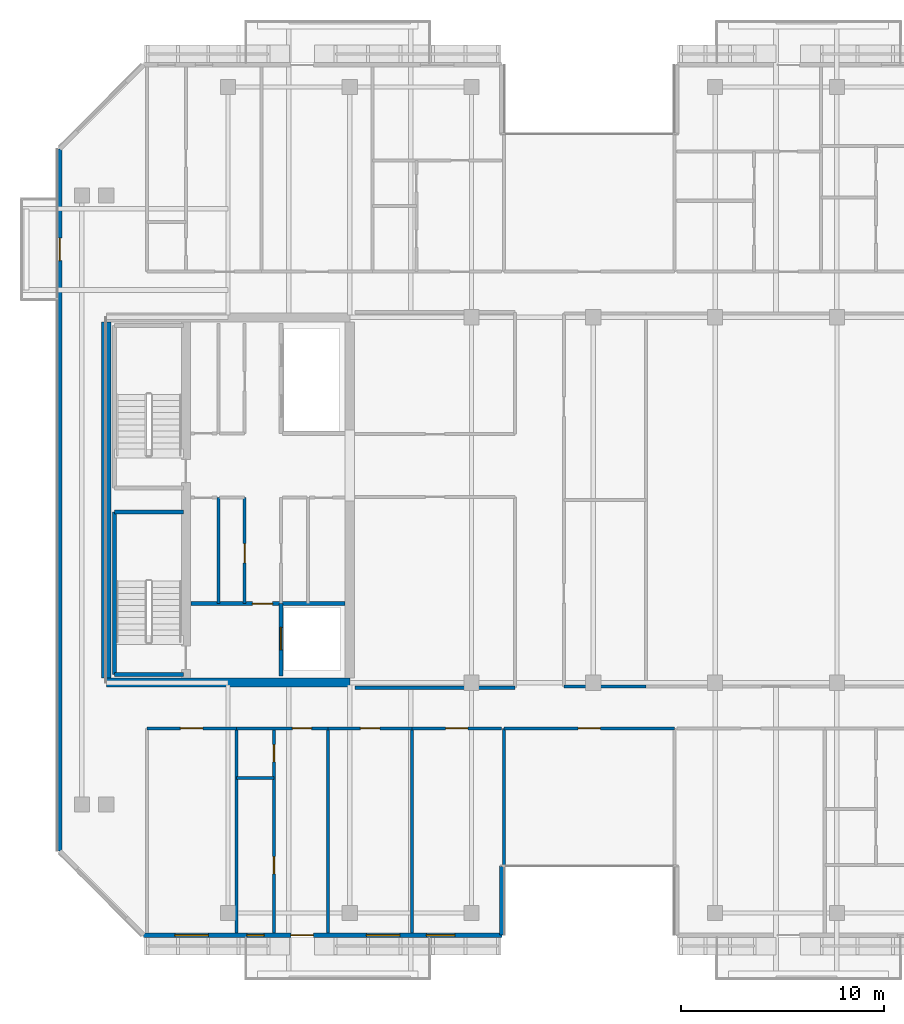
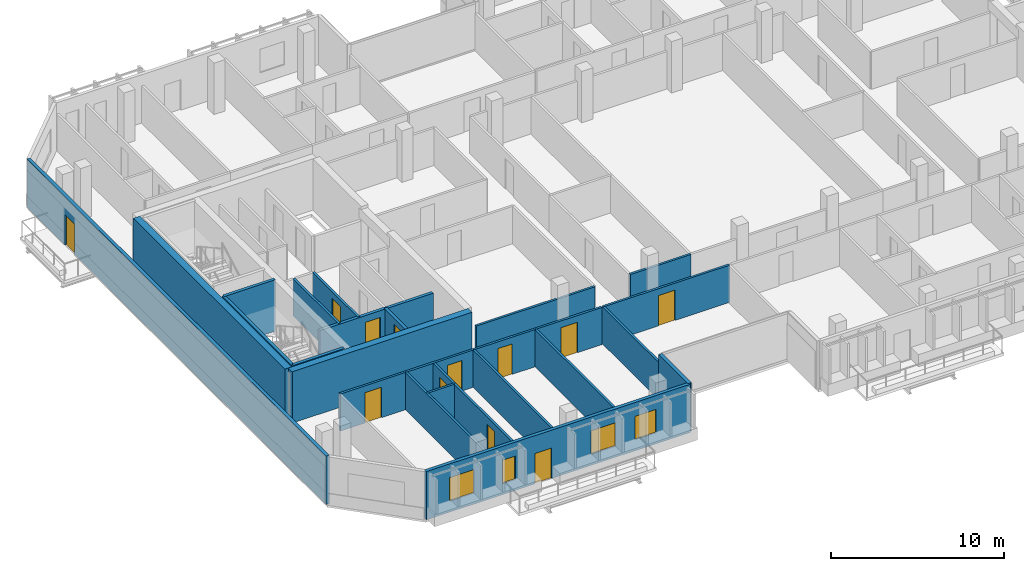
# One storey, part 10 of 23: 25 walls, 12 doors, 4 windows, 16 openings.
"""IFC4 building model written with IfcOpenShell, lengths in metres."""

import ifcopenshell
import ifcopenshell.guid

model = None  # the IFC model being written
_history = None  # IfcOwnerHistory: only IFC2X3 demands one
_inside = {}  # id of a spatial element -> (the spatial element, [elements in it])
_under = {}  # id of a project, library or spatial element -> (it, [spatial elements below it])
_declared = {}  # id of a project -> (the project, [libraries it declares])
_typed = {}  # id of a type object -> (the type object, [elements of that type])
_made_of = {}  # id of a material, layer set ... -> (it, [elements and type objects made of it])


def new_model(schema):
    """Start an empty IFC model of exactly this schema.

    Asked for "IFC4X3", IfcOpenShell would pick the latest addendum, in which some entities
    have other attributes; the version numbers below select the first issue.
    IFC2X3 requires an IfcOwnerHistory on every rooted entity: one is made here for all.
    """
    global model, _history
    if schema == "IFC4X3":
        model = ifcopenshell.file(schema_version=(4, 3, 0, 0))
    else:
        model = ifcopenshell.file(schema=schema)
    _inside.clear()
    _under.clear()
    _declared.clear()
    _typed.clear()
    _made_of.clear()
    _history = None
    if model.schema == "IFC2X3":
        org = make("IfcOrganization", Name="unknown")
        user = make(
            "IfcPersonAndOrganization",
            ThePerson=make("IfcPerson", FamilyName="unknown"),
            TheOrganization=org,
        )
        app = make(
            "IfcApplication",
            ApplicationDeveloper=org,
            Version="unknown",
            ApplicationFullName="unknown",
            ApplicationIdentifier="unknown",
        )
        _history = make(
            "IfcOwnerHistory",
            OwningUser=user,
            OwningApplication=app,
            ChangeAction="ADDED",
            CreationDate=0,
        )
    return model


def make(cls, **values):
    """One entity of the class cls with the attributes given. An attribute that is None is left unset."""
    return model.create_entity(
        cls, **{name: value for name, value in values.items() if value is not None}
    )


def rooted(cls, **values):
    """An entity with a GlobalId (a new one), such as an element, a storey or a relation."""
    return make(cls, GlobalId=ifcopenshell.guid.new(), OwnerHistory=_history, **values)


def si_unit(unit_type, name, prefix=None):
    """IfcSIUnit, for example si_unit("LENGTHUNIT", "METRE", prefix="MILLI")."""
    return make("IfcSIUnit", UnitType=unit_type, Prefix=prefix, Name=name)


def assignment(units):
    """IfcUnitAssignment: the units of a project."""
    return None if units is None else make("IfcUnitAssignment", Units=units)


def point(xyz):
    """IfcCartesianPoint."""
    return None if xyz is None else make("IfcCartesianPoint", Coordinates=xyz)


def direction(xyz):
    """IfcDirection."""
    return None if xyz is None else make("IfcDirection", DirectionRatios=xyz)


def frame(location, z_axis=None, x_axis=None):
    """IfcAxis2Placement3D, a coordinate frame: its origin and axes. An axis left out is left unset."""
    return make(
        "IfcAxis2Placement3D",
        Location=point(location),
        Axis=direction(z_axis),
        RefDirection=direction(x_axis),
    )


def frame_2d(location, x_axis=None):
    """IfcAxis2Placement2D, a coordinate frame in the plane: its origin and x axis."""
    return make(
        "IfcAxis2Placement2D", Location=point(location), RefDirection=direction(x_axis)
    )


def origin():
    """The frame at (0, 0, 0) with its axes left unset."""
    return frame((0.0, 0.0, 0.0))


def place(relative_to, where):
    """IfcLocalPlacement: puts the frame where relative to a parent placement (None: the world)."""
    return make(
        "IfcLocalPlacement", PlacementRelTo=relative_to, RelativePlacement=where
    )


def context(
    kind, dimensions, precision=None, world=None, true_north=None, identifier=None
):
    """IfcGeometricRepresentationContext, for example the 3D "Model" context."""
    return make(
        "IfcGeometricRepresentationContext",
        ContextIdentifier=identifier,
        ContextType=kind,
        CoordinateSpaceDimension=dimensions,
        Precision=precision,
        WorldCoordinateSystem=world,
        TrueNorth=true_north,
    )


def subcontext(parent, identifier, kind, view, scale=None):
    """IfcGeometricRepresentationSubContext, for example "Body" below "Model"."""
    return make(
        "IfcGeometricRepresentationSubContext",
        ContextIdentifier=identifier,
        ContextType=kind,
        ParentContext=parent,
        TargetScale=scale,
        TargetView=view,
    )


def project(units=None, contexts=None):
    """IfcProject with its units and contexts."""
    return rooted(
        "IfcProject",
        Name="project",
        RepresentationContexts=contexts,
        UnitsInContext=assignment(units),
    )


def spatial(cls, under=None, at=None, **own):
    """A site, building, storey or space (cls), placed at a placement, below another one or the project."""
    s = rooted(cls, ObjectPlacement=at, **own)
    if under is not None:
        _under.setdefault(under.id(), (under, []))[1].append(s)
    return s


def profile(cls, at=None, kind="AREA", **sizes):
    """A parametric profile (cls). Its sizes go by their IFC names, for example OverallWidth=200.0."""
    return make(cls, ProfileType=kind, Position=at, **sizes)


def rectangle(**sizes):
    """IfcRectangleProfileDef."""
    return profile("IfcRectangleProfileDef", **sizes)


def extrude(swept, where, along, depth):
    """IfcExtrudedAreaSolid: the profile swept, set in the frame where, extruded along a direction by depth."""
    return make(
        "IfcExtrudedAreaSolid",
        SweptArea=swept,
        Position=where,
        ExtrudedDirection=direction(along),
        Depth=depth,
    )


def shape(context_of_items, identifier, shape_type, items):
    """IfcShapeRepresentation: the items that make up one representation, for example the "Body"."""
    return make(
        "IfcShapeRepresentation",
        ContextOfItems=context_of_items,
        RepresentationIdentifier=identifier,
        RepresentationType=shape_type,
        Items=items,
    )


def material(Name=None, Category=None):
    """IfcMaterial."""
    return make("IfcMaterial", Name=Name, Category=Category)


def layer(
    of_material, thickness, ventilated=None, Name=None, Category=None, Priority=None
):
    """IfcMaterialLayer: one layer of a wall or slab, of a material (None: an air gap)."""
    return make(
        "IfcMaterialLayer",
        Material=of_material,
        LayerThickness=thickness,
        IsVentilated=ventilated,
        Name=Name,
        Category=Category,
        Priority=Priority,
    )


def layer_set(layers, Name=None):
    """IfcMaterialLayerSet."""
    return make("IfcMaterialLayerSet", MaterialLayers=layers, LayerSetName=Name)


def made_of(thing, what):
    """Note that an element or type object is made of a material, layer set ...; save() writes the relation."""
    if what is not None:
        _made_of.setdefault(what.id(), (what, []))[1].append(thing)
    return thing


def type_object(cls, material=None, **own):
    """A type object (cls), such as IfcWallType, which elements share."""
    return made_of(rooted(cls, **own), material)


def element(
    cls,
    number,
    at=None,
    inside=None,
    cuts=None,
    type_object=None,
    material=None,
    context=None,
    identifier="Body",
    shape_type=None,
    held_by="IfcProductDefinitionShape",
    body=None,
    shapes=None,
    **own,
):
    """One element of the class cls, such as IfcWall. Its Tag is "e" and its number.

    at: its placement. inside: the storey or other place that contains it. cuts: it is an
    opening in that element (IfcRelVoidsElement). A single representation is given by context,
    identifier, shape_type and body (its items); several are given by shapes. held_by: the class
    of the entity that holds the representations. save() writes the other relations.
    """
    e = rooted(cls, Tag="e%d" % number, ObjectPlacement=at, **own)
    if body is not None:
        shapes = [shape(context, identifier, shape_type, body)]
    if shapes is not None:
        e.Representation = make(held_by, Representations=shapes)
    if inside is not None:
        _inside.setdefault(inside.id(), (inside, []))[1].append(e)
    if cuts is not None:
        rooted(
            "IfcRelVoidsElement", RelatingBuildingElement=cuts, RelatedOpeningElement=e
        )
    if type_object is not None:
        _typed.setdefault(type_object.id(), (type_object, []))[1].append(e)
    return made_of(e, material)


def fill(opening, filler):
    """IfcRelFillsElement: the door or window that sits in an opening."""
    return rooted(
        "IfcRelFillsElement",
        RelatingOpeningElement=opening,
        RelatedBuildingElement=filler,
    )


def aggregate(whole, parts):
    """IfcRelAggregates: a whole, such as a stair, and the parts it consists of."""
    return rooted("IfcRelAggregates", RelatingObject=whole, RelatedObjects=parts)


def save(model, path):
    """Write the relations noted so far, then the file.

    IfcRelAggregates (storeys below a building ...), IfcRelContainedInSpatialStructure (elements
    in a storey), IfcRelDefinesByType, IfcRelAssociatesMaterial and IfcRelDeclares: one each for
    every whole, place, type object, material and project.
    """
    for whole, parts in _under.values():
        aggregate(whole, parts)
    for where, things in _inside.values():
        rooted(
            "IfcRelContainedInSpatialStructure",
            RelatedElements=things,
            RelatingStructure=where,
        )
    for kind, things in _typed.values():
        rooted("IfcRelDefinesByType", RelatedObjects=things, RelatingType=kind)
    for what, things in _made_of.values():
        rooted("IfcRelAssociatesMaterial", RelatedObjects=things, RelatingMaterial=what)
    for by, libraries in _declared.values():
        rooted("IfcRelDeclares", RelatingContext=by, RelatedDefinitions=libraries)
    model.write(path)


model = new_model("IFC4")

# Units and contexts
model_context = context("Model", 3, precision=1e-05, world=origin(), true_north=direction((0.0, 1.0)))
body_context = subcontext(model_context, "Body", "Model", "MODEL_VIEW")
ifc_project = project(units=[si_unit("LENGTHUNIT", "METRE"), si_unit("AREAUNIT", "SQUARE_METRE"), si_unit("VOLUMEUNIT", "CUBIC_METRE"), si_unit("PLANEANGLEUNIT", "RADIAN"), si_unit("MASSUNIT", "GRAM", prefix="KILO")], contexts=[model_context])

# Site, building, storey
site_placement = place(None, origin())
site = spatial("IfcSite", under=ifc_project, at=site_placement, CompositionType="ELEMENT")
building_placement = place(site_placement, origin())
building = spatial("IfcBuilding", under=site, at=building_placement, Name="Tanjung Sevakor Pilgrim Tower", CompositionType="ELEMENT")
storey_placement = place(building_placement, frame((0.0, 0.0, 215.489990234375)))
storey = spatial("IfcBuildingStorey", under=building, at=storey_placement, Name="L60", CompositionType="ELEMENT", Elevation=215.489990234375)

# Walls
ifc_material_1 = material(Name="Concrete C60/75", Category="concrete")
ifc_layer_1 = layer(ifc_material_1, 0.449951171875)
ifc_layer_set_1 = layer_set([ifc_layer_1], Name="WALL-CW-450")
wall_type_1 = type_object("IfcWallType", Name="WALL-CW-450", PredefinedType="SHEAR", material=ifc_layer_set_1)
wall_1_placement = place(storey_placement, frame((24.0, 24.60009765625, 0.0), z_axis=(0.0, 0.0, 1.0), x_axis=(1.0, 0.0, 0.0)))
element("IfcWall", 1, at=wall_1_placement, inside=storey, type_object=wall_type_1, Name="L60 W Core South Shear Wall", PredefinedType="SHEAR", context=body_context, shape_type="SweptSolid", body=[
    extrude(rectangle(XDim=12.0, YDim=0.449951171875, at=frame_2d((6.0, 0.0))), origin(), (0.0, 0.0, 1.0), 3.630126953125),
])
wall_2_placement = place(storey_placement, frame((24.0, 24.824951171875, 0.0), z_axis=(0.0, 0.0, 1.0), x_axis=(0.0, 1.0, 0.0)))
element("IfcWall", 2, at=wall_2_placement, inside=storey, type_object=wall_type_1, Name="L60 W Core Outer Shear Wall", PredefinedType="SHEAR", context=body_context, shape_type="SweptSolid", body=[
    extrude(rectangle(XDim=17.550048828125, YDim=0.449951171875, at=frame_2d((8.77490234375, 0.0))), origin(), (0.0, 0.0, 1.0), 3.630126953125),
])
ifc_material_2 = material(Name="Concrete C40/50", Category="concrete")
ifc_layer_2 = layer(ifc_material_2, 0.14990234375)
ifc_layer_set_2 = layer_set([ifc_layer_2], Name="WT-COMP-150")
wall_type_2 = type_object("IfcWallType", Name="WT-COMP-150", PredefinedType="SOLIDWALL", material=ifc_layer_set_2)
wall_3_placement = place(storey_placement, frame((29.52001953125, 28.5, 0.0), z_axis=(0.0, 0.0, 1.0), x_axis=(0.0, 1.0, 0.0)))
element("IfcWall", 3, at=wall_3_placement, inside=storey, type_object=wall_type_2, Name="L60 Partition IW-L60-003", PredefinedType="SOLIDWALL", context=body_context, shape_type="SweptSolid", body=[
    extrude(rectangle(XDim=5.219970703125, YDim=0.14990234375, at=frame_2d((2.60986328125, 0.0))), origin(), (0.0, 0.0, 1.0), 2.6298828125),
])

# Wall, opening, door
wall_4_placement = place(storey_placement, frame((30.820068359375, 28.5, 0.0), z_axis=(0.0, 0.0, 1.0), x_axis=(0.0, 1.0, 0.0)))
wall_4 = element("IfcWall", 4, at=wall_4_placement, inside=storey, type_object=wall_type_2, Name="L60 Partition IW-L60-006", PredefinedType="SOLIDWALL", context=body_context, shape_type="SweptSolid", body=[
    extrude(rectangle(XDim=5.219970703125, YDim=0.14990234375, at=frame_2d((2.60986328125, 0.0))), origin(), (0.0, 0.0, 1.0), 2.6298828125),
])
opening_1_placement = place(wall_4_placement, frame((2.0, 0.0, 0.0)))
opening_1 = element("IfcOpeningElement", 5, at=opening_1_placement, cuts=wall_4, Name="Opening ID-FD2", PredefinedType="OPENING", context=body_context, shape_type="SweptSolid", body=[
    extrude(rectangle(XDim=0.949951171875, YDim=2.14990234375, at=frame_2d((0.47509765625, 1.074951171875))), frame((0.0, 0.0849609375, 0.0), z_axis=(0.0, -1.0, 0.0), x_axis=(1.0, 0.0, 0.0)), (0.0, 0.0, 1.0), 0.169921875),
])
ifc_material_3 = material(Name="Fire-Rated Timber", Category="wood")
door_type_1 = type_object("IfcDoorType", Name="DT-FIRE-950", OperationType="NOTDEFINED", PredefinedType="DOOR", material=ifc_material_3)
door_1_placement = place(opening_1_placement, origin())
door_1 = element("IfcDoor", 6, at=door_1_placement, inside=storey, type_object=door_type_1, Name="L60 Housekeeping Pantry Door", OperationType="SINGLE_SWING_LEFT", OverallHeight=2.14990234375, OverallWidth=0.949951171875, PredefinedType="DOOR", context=body_context, shape_type="SweptSolid", body=[
    extrude(rectangle(XDim=0.949951171875, YDim=2.14990234375, at=frame_2d((0.47509765625, 1.074951171875))), frame((0.0, 0.02490234375, 0.0), z_axis=(0.0, -1.0, 0.0), x_axis=(1.0, 0.0, 0.0)), (0.0, 0.0, 1.0), 0.050048828125),
])
fill(opening_1, door_1)

# Walls
wall_5_placement = place(storey_placement, frame((36.2451171875, 24.35009765625, 0.0), z_axis=(0.0, 0.0, 1.0), x_axis=(1.0, 0.0, 0.0)))
element("IfcWall", 7, at=wall_5_placement, inside=storey, type_object=wall_type_2, Name="L60 Partition IW-L60-033", PredefinedType="SOLIDWALL", context=body_context, shape_type="SweptSolid", body=[
    extrude(rectangle(XDim=7.90478515625, YDim=0.14990234375, at=frame_2d((3.952392578125, 0.0))), origin(), (0.0, 0.0, 1.0), 2.6298828125),
])
wall_6_placement = place(storey_placement, frame((46.550048828125, 24.39990234375, 0.0), z_axis=(0.0, 0.0, 1.0), x_axis=(1.0, 0.0, 0.0)))
element("IfcWall", 8, at=wall_6_placement, inside=storey, type_object=wall_type_2, Name="L60 Partition IW-L60-045", PredefinedType="SOLIDWALL", context=body_context, shape_type="SweptSolid", body=[
    extrude(rectangle(XDim=4.050048828125, YDim=0.14990234375, at=frame_2d((2.02490234375, 0.0))), origin(), (0.0, 0.0, 1.0), 2.6298828125),
])

# Wall, opening, door
wall_7_placement = place(storey_placement, frame((43.60009765625, 22.35009765625, 0.0), z_axis=(0.0, 0.0, 1.0), x_axis=(1.0, 0.0, 0.0)))
wall_7 = element("IfcWall", 9, at=wall_7_placement, inside=storey, type_object=wall_type_2, Name="L60 Partition IW-L60-059", PredefinedType="SOLIDWALL", context=body_context, shape_type="SweptSolid", body=[
    extrude(rectangle(XDim=8.39990234375, YDim=0.14990234375, at=frame_2d((4.199951171875, 0.0))), origin(), (0.0, 0.0, 1.0), 2.6298828125),
])
opening_2_placement = place(wall_7_placement, frame((3.64990234375, 0.0, 0.0)))
opening_2 = element("IfcOpeningElement", 10, at=opening_2_placement, cuts=wall_7, Name="Opening ID-RM2", PredefinedType="OPENING", context=body_context, shape_type="SweptSolid", body=[
    extrude(rectangle(XDim=1.10009765625, YDim=2.14990234375, at=frame_2d((0.550048828125, 1.074951171875))), frame((0.0, 0.0849609375, 0.0), z_axis=(0.0, -1.0, 0.0), x_axis=(1.0, 0.0, 0.0)), (0.0, 0.0, 1.0), 0.169921875),
])
ifc_material_4 = material(Name="Hardwood Timber", Category="wood")
door_type_2 = type_object("IfcDoorType", Name="DT-INT-1100", OperationType="NOTDEFINED", PredefinedType="DOOR", material=ifc_material_4)
door_2_placement = place(opening_2_placement, origin())
door_2 = element("IfcDoor", 11, at=door_2_placement, inside=storey, type_object=door_type_2, Name="L60 South Cleft Communal Lounge Door", OperationType="SINGLE_SWING_LEFT", OverallHeight=2.14990234375, OverallWidth=1.10009765625, PredefinedType="DOOR", context=body_context, shape_type="SweptSolid", body=[
    extrude(rectangle(XDim=1.10009765625, YDim=2.14990234375, at=frame_2d((0.550048828125, 1.074951171875))), frame((0.0, 0.02490234375, 0.0), z_axis=(0.0, -1.0, 0.0), x_axis=(1.0, 0.0, 0.0)), (0.0, 0.0, 1.0), 0.050048828125),
])
fill(opening_2, door_2)

# Walls
for number, where, z_axis, x_axis, name in (
    (12, (43.60009765625, 12.27001953125, 0.0), (0.0, 0.0, 1.0), (0.0, 1.0, 0.0), "L60 Partition IW-L60-060"),
    (13, (30.41455078125, 12.27001953125, 0.0), (0.0, 0.0, 1.0), (0.0, 1.0, 0.0), "L60 Partition IW-L60-066"),
):
    element("IfcWall", number, at=place(storey_placement, frame(where, z_axis=z_axis, x_axis=x_axis)), inside=storey, type_object=wall_type_2, Name=name, PredefinedType="SOLIDWALL", context=body_context, shape_type="SweptSolid", body=[
        extrude(rectangle(XDim=10.080078125, YDim=0.14990234375, at=frame_2d((5.0400390625, 0.0))), origin(), (0.0, 0.0, 1.0), 2.6298828125),
    ])

# Wall, opening, door
wall_8_placement = place(storey_placement, frame((26.0, 22.35009765625, 0.0), z_axis=(0.0, 0.0, 1.0), x_axis=(1.0, 0.0, 0.0)))
wall_8 = element("IfcWall", 14, at=wall_8_placement, inside=storey, type_object=wall_type_2, Name="L60 Partition IW-L60-067", PredefinedType="SOLIDWALL", context=body_context, shape_type="SweptSolid", body=[
    extrude(rectangle(XDim=4.41455078125, YDim=0.14990234375, at=frame_2d((2.207275390625, 0.0))), origin(), (0.0, 0.0, 1.0), 2.6298828125),
])
opening_3_placement = place(wall_8_placement, frame((1.6572265625, 0.0, 0.0)))
opening_3 = element("IfcOpeningElement", 15, at=opening_3_placement, cuts=wall_8, Name="Opening ID-FD0", PredefinedType="OPENING", context=body_context, shape_type="SweptSolid", body=[
    extrude(rectangle(XDim=1.10009765625, YDim=2.14990234375, at=frame_2d((0.550048828125, 1.074951171875))), frame((0.0, 0.0849609375, 0.0), z_axis=(0.0, -1.0, 0.0), x_axis=(1.0, 0.0, 0.0)), (0.0, 0.0, 1.0), 0.169921875),
])
ifc_material_5 = material(Name="Fire-Rated Steel S355J2", Category="steel")
door_type_3 = type_object("IfcDoorType", Name="DT-FIRE-1100", OperationType="NOTDEFINED", PredefinedType="DOOR", material=ifc_material_5)
door_3_placement = place(opening_3_placement, origin())
door_3 = element("IfcDoor", 16, at=door_3_placement, inside=storey, type_object=door_type_3, Name="Communal Lounge Door", OperationType="SINGLE_SWING_LEFT", OverallHeight=2.14990234375, OverallWidth=1.10009765625, PredefinedType="DOOR", context=body_context, shape_type="SweptSolid", body=[
    extrude(rectangle(XDim=1.10009765625, YDim=2.14990234375, at=frame_2d((0.550048828125, 1.074951171875))), frame((0.0, 0.02490234375, 0.0), z_axis=(0.0, -1.0, 0.0), x_axis=(1.0, 0.0, 0.0)), (0.0, 0.0, 1.0), 0.050048828125),
])
fill(opening_3, door_3)

# Wall
wall_9_placement = place(storey_placement, frame((34.935791015625, 12.27001953125, 0.0), z_axis=(0.0, 0.0, 1.0), x_axis=(0.0, 1.0, 0.0)))
element("IfcWall", 17, at=wall_9_placement, inside=storey, type_object=wall_type_2, Name="L60 Partition IW-L60-068", PredefinedType="SOLIDWALL", context=body_context, shape_type="SweptSolid", body=[
    extrude(rectangle(XDim=10.080078125, YDim=0.14990234375, at=frame_2d((5.0400390625, 0.0))), origin(), (0.0, 0.0, 1.0), 2.6298828125),
])

# Wall, opening, door
wall_10_placement = place(storey_placement, frame((30.41455078125, 22.35009765625, 0.0), z_axis=(0.0, 0.0, 1.0), x_axis=(1.0, 0.0, 0.0)))
wall_10 = element("IfcWall", 18, at=wall_10_placement, inside=storey, type_object=wall_type_2, Name="L60 Partition IW-L60-071", PredefinedType="SOLIDWALL", context=body_context, shape_type="SweptSolid", body=[
    extrude(rectangle(XDim=4.521240234375, YDim=0.14990234375, at=frame_2d((2.2607421875, 0.0))), origin(), (0.0, 0.0, 1.0), 2.6298828125),
])
opening_4_placement = place(wall_10_placement, frame((2.75048828125, 0.0, 0.0)))
opening_4 = element("IfcOpeningElement", 19, at=opening_4_placement, cuts=wall_10, Name="Opening ID-FD2", PredefinedType="OPENING", context=body_context, shape_type="SweptSolid", body=[
    extrude(rectangle(XDim=0.949951171875, YDim=2.14990234375, at=frame_2d((0.47509765625, 1.074951171875))), frame((0.0, 0.0849609375, 0.0), z_axis=(0.0, -1.0, 0.0), x_axis=(1.0, 0.0, 0.0)), (0.0, 0.0, 1.0), 0.169921875),
])
door_4_placement = place(opening_4_placement, origin())
door_4 = element("IfcDoor", 20, at=door_4_placement, inside=storey, type_object=door_type_1, Name="Hotel Guestroom Entrance", OperationType="SINGLE_SWING_RIGHT", OverallHeight=2.14990234375, OverallWidth=0.949951171875, PredefinedType="DOOR", context=body_context, shape_type="SweptSolid", body=[
    extrude(rectangle(XDim=0.949951171875, YDim=2.14990234375, at=frame_2d((0.47509765625, 1.074951171875))), frame((0.0, 0.02490234375, 0.0), z_axis=(0.0, -1.0, 0.0), x_axis=(1.0, 0.0, 0.0)), (0.0, 0.0, 1.0), 0.050048828125),
])
fill(opening_4, door_4)

# Wall
wall_11_placement = place(storey_placement, frame((39.0654296875, 12.27001953125, 0.0), z_axis=(0.0, 0.0, 1.0), x_axis=(0.0, 1.0, 0.0)))
element("IfcWall", 21, at=wall_11_placement, inside=storey, type_object=wall_type_2, Name="L60 Partition IW-L60-072", PredefinedType="SOLIDWALL", context=body_context, shape_type="SweptSolid", body=[
    extrude(rectangle(XDim=10.080078125, YDim=0.14990234375, at=frame_2d((5.0400390625, 0.0))), origin(), (0.0, 0.0, 1.0), 2.6298828125),
])

# Wall, opening, door
wall_12_placement = place(storey_placement, frame((34.935791015625, 22.35009765625, 0.0), z_axis=(0.0, 0.0, 1.0), x_axis=(1.0, 0.0, 0.0)))
wall_12 = element("IfcWall", 22, at=wall_12_placement, inside=storey, type_object=wall_type_2, Name="L60 Partition IW-L60-073", PredefinedType="SOLIDWALL", context=body_context, shape_type="SweptSolid", body=[
    extrude(rectangle(XDim=4.129638671875, YDim=0.14990234375, at=frame_2d((2.06494140625, 0.0))), origin(), (0.0, 0.0, 1.0), 2.6298828125),
])
opening_5_placement = place(wall_12_placement, frame((1.58984375, 0.0, 0.0)))
opening_5 = element("IfcOpeningElement", 23, at=opening_5_placement, cuts=wall_12, Name="Opening ID-FD2", PredefinedType="OPENING", context=body_context, shape_type="SweptSolid", body=[
    extrude(rectangle(XDim=0.949951171875, YDim=2.14990234375, at=frame_2d((0.47509765625, 1.074951171875))), frame((0.0, 0.0849609375, 0.0), z_axis=(0.0, -1.0, 0.0), x_axis=(1.0, 0.0, 0.0)), (0.0, 0.0, 1.0), 0.169921875),
])
door_5_placement = place(opening_5_placement, origin())
door_5 = element("IfcDoor", 24, at=door_5_placement, inside=storey, type_object=door_type_1, Name="Study Room Entrance", OperationType="SINGLE_SWING_LEFT", OverallHeight=2.14990234375, OverallWidth=0.949951171875, PredefinedType="DOOR", context=body_context, shape_type="SweptSolid", body=[
    extrude(rectangle(XDim=0.949951171875, YDim=2.14990234375, at=frame_2d((0.47509765625, 1.074951171875))), frame((0.0, 0.02490234375, 0.0), z_axis=(0.0, -1.0, 0.0), x_axis=(1.0, 0.0, 0.0)), (0.0, 0.0, 1.0), 0.050048828125),
])
fill(opening_5, door_5)

wall_13_placement = place(storey_placement, frame((39.0654296875, 22.35009765625, 0.0), z_axis=(0.0, 0.0, 1.0), x_axis=(1.0, 0.0, 0.0)))
wall_13 = element("IfcWall", 25, at=wall_13_placement, inside=storey, type_object=wall_type_2, Name="L60 Partition IW-L60-074", PredefinedType="SOLIDWALL", context=body_context, shape_type="SweptSolid", body=[
    extrude(rectangle(XDim=4.41455078125, YDim=0.14990234375, at=frame_2d((2.207275390625, 0.0))), origin(), (0.0, 0.0, 1.0), 2.6298828125),
])
opening_6_placement = place(wall_13_placement, frame((1.6572265625, 0.0, 0.0)))
opening_6 = element("IfcOpeningElement", 26, at=opening_6_placement, cuts=wall_13, Name="Opening ID-FD0", PredefinedType="OPENING", context=body_context, shape_type="SweptSolid", body=[
    extrude(rectangle(XDim=1.10009765625, YDim=2.14990234375, at=frame_2d((0.550048828125, 1.074951171875))), frame((0.0, 0.0849609375, 0.0), z_axis=(0.0, -1.0, 0.0), x_axis=(1.0, 0.0, 0.0)), (0.0, 0.0, 1.0), 0.169921875),
])
door_6_placement = place(opening_6_placement, origin())
door_6 = element("IfcDoor", 27, at=door_6_placement, inside=storey, type_object=door_type_3, Name="Communal Lounge Door", OperationType="SINGLE_SWING_RIGHT", OverallHeight=2.14990234375, OverallWidth=1.10009765625, PredefinedType="DOOR", context=body_context, shape_type="SweptSolid", body=[
    extrude(rectangle(XDim=1.10009765625, YDim=2.14990234375, at=frame_2d((0.550048828125, 1.074951171875))), frame((0.0, 0.02490234375, 0.0), z_axis=(0.0, -1.0, 0.0), x_axis=(1.0, 0.0, 0.0)), (0.0, 0.0, 1.0), 0.050048828125),
])
fill(opening_6, door_6)

# Wall, openings, door, windows
ifc_material_6 = material(Name="Precast concrete C45/55", Category="concrete")
ifc_layer_3 = layer(ifc_material_6, 0.219970703125)
ifc_layer_set_3 = layer_set([ifc_layer_3], Name="WT-EW-STN4")
wall_type_3 = type_object("IfcWallType", Name="WT-EW-STN4", PredefinedType="SOLIDWALL", material=ifc_layer_set_3)
wall_14_placement = place(storey_placement, frame((25.845703125, 12.159912109375, 0.0), z_axis=(0.0, 0.0, 1.0), x_axis=(1.0, 0.0, 0.0)))
wall_14 = element("IfcWall", 28, at=wall_14_placement, inside=storey, type_object=wall_type_3, Name="L60 MAIN Exterior Wall 1", PredefinedType="SOLIDWALL", context=body_context, shape_type="SweptSolid", body=[
    extrude(rectangle(XDim=17.644287109375, YDim=0.219970703125, at=frame_2d((8.822265625, 0.0))), origin(), (0.0, 0.0, 1.0), 3.409912109375),
])
opening_7_placement = place(wall_14_placement, frame((7.25439453125, 0.0, 0.0)))
opening_7 = element("IfcOpeningElement", 29, at=opening_7_placement, cuts=wall_14, Name="Opening ED-BAL-1100", PredefinedType="OPENING", context=body_context, shape_type="SweptSolid", body=[
    extrude(rectangle(XDim=1.10009765625, YDim=2.14990234375, at=frame_2d((0.550048828125, 1.074951171875))), frame((0.0, 0.119873046875, 0.0), z_axis=(0.0, -1.0, 0.0), x_axis=(1.0, 0.0, 0.0)), (0.0, 0.0, 1.0), 0.239990234375),
])
opening_8_placement = place(wall_14_placement, frame((1.53662109375, 0.0, 0.780029296875)))
opening_8 = element("IfcOpeningElement", 30, at=opening_8_placement, cuts=wall_14, Name="Opening WN-Z4-1660", PredefinedType="OPENING", context=body_context, shape_type="SweptSolid", body=[
    extrude(rectangle(XDim=1.64990234375, YDim=1.659912109375, at=frame_2d((0.824951171875, 0.830078125))), frame((0.0, 0.119873046875, 0.0), z_axis=(0.0, -1.0, 0.0), x_axis=(1.0, 0.0, 0.0)), (0.0, 0.0, 1.0), 0.239990234375),
])
opening_9_placement = place(wall_14_placement, frame((5.078857421875, 0.0, 0.780029296875)))
opening_9 = element("IfcOpeningElement", 31, at=opening_9_placement, cuts=wall_14, Name="Opening WN-SLM", PredefinedType="OPENING", context=body_context, shape_type="SweptSolid", body=[
    extrude(rectangle(XDim=0.85009765625, YDim=1.64990234375, at=frame_2d((0.425048828125, 0.824951171875))), frame((0.0, 0.119873046875, 0.0), z_axis=(0.0, -1.0, 0.0), x_axis=(1.0, 0.0, 0.0)), (0.0, 0.0, 1.0), 0.239990234375),
])
opening_10_placement = place(wall_14_placement, frame((10.97021484375, 0.0, 0.780029296875)))
opening_10 = element("IfcOpeningElement", 32, at=opening_10_placement, cuts=wall_14, Name="Opening WN-Z4-1660", PredefinedType="OPENING", context=body_context, shape_type="SweptSolid", body=[
    extrude(rectangle(XDim=1.64990234375, YDim=1.659912109375, at=frame_2d((0.824951171875, 0.830078125))), frame((0.0, 0.119873046875, 0.0), z_axis=(0.0, -1.0, 0.0), x_axis=(1.0, 0.0, 0.0)), (0.0, 0.0, 1.0), 0.239990234375),
])
opening_11_placement = place(wall_14_placement, frame((13.927001953125, 0.0, 0.780029296875)))
opening_11 = element("IfcOpeningElement", 33, at=opening_11_placement, cuts=wall_14, Name="Opening WN-END", PredefinedType="OPENING", context=body_context, shape_type="SweptSolid", body=[
    extrude(rectangle(XDim=1.39990234375, YDim=1.64990234375, at=frame_2d((0.699951171875, 0.824951171875))), frame((0.0, 0.119873046875, 0.0), z_axis=(0.0, -1.0, 0.0), x_axis=(1.0, 0.0, 0.0)), (0.0, 0.0, 1.0), 0.239990234375),
])
ifc_material_7 = material(Name="Anodised Aluminium and Laminated Glass", Category="aluminium")
door_type_4 = type_object("IfcDoorType", Name="DTYP-ED-BAL-1100", OperationType="NOTDEFINED", PredefinedType="DOOR", material=ifc_material_7)
door_7_placement = place(opening_7_placement, frame((1.10009765625, 0.0, 0.0), z_axis=(0.0, 0.0, 1.0), x_axis=(-1.0, 0.0, 0.0)))
door_7 = element("IfcDoor", 34, at=door_7_placement, inside=storey, type_object=door_type_4, Name="L60 Balcony Door MAIN-S1", OperationType="SINGLE_SWING_LEFT", OverallHeight=2.14990234375, OverallWidth=1.10009765625, PredefinedType="DOOR", context=body_context, shape_type="SweptSolid", body=[
    extrude(rectangle(XDim=1.10009765625, YDim=2.14990234375, at=frame_2d((0.550048828125, 1.074951171875))), frame((0.0, 0.02490234375, 0.0), z_axis=(0.0, -1.0, 0.0), x_axis=(1.0, 0.0, 0.0)), (0.0, 0.0, 1.0), 0.050048828125),
])
fill(opening_7, door_7)
ifc_material_8 = material(Name="Thermally Broken Aluminium and Low-E Glass", Category="aluminium")
window_type_1 = type_object("IfcWindowType", Name="WTYP-WN-END", PartitioningType="SINGLE_PANEL", PredefinedType="WINDOW", material=ifc_material_8)
window_1_placement = place(opening_11_placement, origin())
window_1 = element("IfcWindow", 35, at=window_1_placement, inside=storey, type_object=window_type_1, Name="L60 Facade Window 04", OverallHeight=1.64990234375, OverallWidth=1.39990234375, PartitioningType="SINGLE_PANEL", PredefinedType="WINDOW", context=body_context, shape_type="SweptSolid", body=[
    extrude(rectangle(XDim=1.39990234375, YDim=1.64990234375, at=frame_2d((0.699951171875, 0.824951171875))), frame((0.0, 0.030029296875, 0.0), z_axis=(0.0, -1.0, 0.0), x_axis=(1.0, 0.0, 0.0)), (0.0, 0.0, 1.0), 0.06005859375),
])
fill(opening_11, window_1)
ifc_material_9 = material(Name="Thermally Broken Aluminium and Low-E Glass", Category="aluminium")
window_type_2 = type_object("IfcWindowType", Name="WTYP-WN-SLM", PartitioningType="SINGLE_PANEL", PredefinedType="WINDOW", material=ifc_material_9)
window_2_placement = place(opening_9_placement, origin())
window_2 = element("IfcWindow", 36, at=window_2_placement, inside=storey, type_object=window_type_2, Name="L60 Facade Window 02", OverallHeight=1.64990234375, OverallWidth=0.85009765625, PartitioningType="SINGLE_PANEL", PredefinedType="WINDOW", context=body_context, shape_type="SweptSolid", body=[
    extrude(rectangle(XDim=0.85009765625, YDim=1.64990234375, at=frame_2d((0.425048828125, 0.824951171875))), frame((0.0, 0.030029296875, 0.0), z_axis=(0.0, -1.0, 0.0), x_axis=(1.0, 0.0, 0.0)), (0.0, 0.0, 1.0), 0.06005859375),
])
fill(opening_9, window_2)
ifc_material_10 = material(Name="Thermally Broken Aluminium and Low-E Glass", Category="aluminium")
window_type_3 = type_object("IfcWindowType", Name="WTYP-WN-Z4-1660", PartitioningType="DOUBLE_PANEL_VERTICAL", PredefinedType="WINDOW", material=ifc_material_10)
window_3_placement = place(opening_8_placement, origin())
window_3 = element("IfcWindow", 37, at=window_3_placement, inside=storey, type_object=window_type_3, Name="L60 Facade Window 01", OverallHeight=1.659912109375, OverallWidth=1.64990234375, PartitioningType="SINGLE_PANEL", PredefinedType="WINDOW", context=body_context, shape_type="SweptSolid", body=[
    extrude(rectangle(XDim=1.64990234375, YDim=1.659912109375, at=frame_2d((0.824951171875, 0.830078125))), frame((0.0, 0.030029296875, 0.0), z_axis=(0.0, -1.0, 0.0), x_axis=(1.0, 0.0, 0.0)), (0.0, 0.0, 1.0), 0.06005859375),
])
fill(opening_8, window_3)
window_4_placement = place(opening_10_placement, origin())
window_4 = element("IfcWindow", 38, at=window_4_placement, inside=storey, type_object=window_type_3, Name="L60 Facade Window 03", OverallHeight=1.659912109375, OverallWidth=1.64990234375, PartitioningType="SINGLE_PANEL", PredefinedType="WINDOW", context=body_context, shape_type="SweptSolid", body=[
    extrude(rectangle(XDim=1.64990234375, YDim=1.659912109375, at=frame_2d((0.824951171875, 0.830078125))), frame((0.0, 0.030029296875, 0.0), z_axis=(0.0, -1.0, 0.0), x_axis=(1.0, 0.0, 0.0)), (0.0, 0.0, 1.0), 0.06005859375),
])
fill(opening_10, window_4)

# Wall
wall_15_placement = place(storey_placement, frame((43.489990234375, 12.159912109375, 0.0), z_axis=(0.0, 0.0, 1.0), x_axis=(0.0, 1.0, 0.0)))
element("IfcWall", 39, at=wall_15_placement, inside=storey, type_object=wall_type_3, Name="L60 MAIN Exterior Wall 2", PredefinedType="SOLIDWALL", context=body_context, shape_type="SweptSolid", body=[
    extrude(rectangle(XDim=3.400146484375, YDim=0.219970703125, at=frame_2d((1.7001953125, 0.0))), origin(), (0.0, 0.0, 1.0), 3.409912109375),
])

# Wall, opening, door
wall_16_placement = place(storey_placement, frame((21.7099609375, 50.904296875, 0.0), z_axis=(0.0, 0.0, 1.0), x_axis=(0.0, -1.0, 0.0)))
wall_16 = element("IfcWall", 40, at=wall_16_placement, inside=storey, type_object=wall_type_3, Name="L60 MAIN Exterior Wall 15", PredefinedType="SOLIDWALL", context=body_context, shape_type="SweptSolid", body=[
    extrude(rectangle(XDim=34.608642578125, YDim=0.219970703125, at=frame_2d((17.30419921875, 0.0))), origin(), (0.0, 0.0, 1.0), 3.409912109375),
])
opening_12_placement = place(wall_16_placement, frame((4.404296875, 0.0, 0.0)))
opening_12 = element("IfcOpeningElement", 41, at=opening_12_placement, cuts=wall_16, Name="Opening ED-BAL-1100", PredefinedType="OPENING", context=body_context, shape_type="SweptSolid", body=[
    extrude(rectangle(XDim=1.10009765625, YDim=2.14990234375, at=frame_2d((0.550048828125, 1.074951171875))), frame((0.0, 0.119873046875, 0.0), z_axis=(0.0, -1.0, 0.0), x_axis=(1.0, 0.0, 0.0)), (0.0, 0.0, 1.0), 0.239990234375),
])
door_8_placement = place(opening_12_placement, frame((1.10009765625, 0.0, 0.0), z_axis=(0.0, 0.0, 1.0), x_axis=(-1.0, 0.0, 0.0)))
door_8 = element("IfcDoor", 42, at=door_8_placement, inside=storey, type_object=door_type_4, Name="L60 West Loggia Door MAIN-W1", OperationType="SINGLE_SWING_RIGHT", OverallHeight=2.14990234375, OverallWidth=1.10009765625, PredefinedType="DOOR", context=body_context, shape_type="SweptSolid", body=[
    extrude(rectangle(XDim=1.10009765625, YDim=2.14990234375, at=frame_2d((0.550048828125, 1.074951171875))), frame((0.0, 0.02490234375, 0.0), z_axis=(0.0, -1.0, 0.0), x_axis=(1.0, 0.0, 0.0)), (0.0, 0.0, 1.0), 0.050048828125),
])
fill(opening_12, door_8)

# Walls
ifc_material_11 = material(Name="Concrete C40/50", Category="concrete")
ifc_layer_4 = layer(ifc_material_11, 0.199951171875)
ifc_layer_set_4 = layer_set([ifc_layer_4], Name="WT-FIRE-200")
wall_type_4 = type_object("IfcWallType", Name="WT-FIRE-200", PredefinedType="SOLIDWALL", material=ifc_layer_set_4)
for number, where, z_axis, x_axis, name in (
    (43, (24.39990234375, 25.0, 0.0), (0.0, 0.0, 1.0), (1.0, 0.0, 0.0), "L60 TS-W1 Shaft Wall 1"),
    (44, (27.800048828125, 33.0, 0.0), (0.0, 0.0, 1.0), (-1.0, 0.0, 0.0), "L60 TS-W1 Shaft Wall 2"),
):
    element("IfcWall", number, at=place(storey_placement, frame(where, z_axis=z_axis, x_axis=x_axis)), inside=storey, type_object=wall_type_4, Name=name, PredefinedType="SOLIDWALL", context=body_context, shape_type="SweptSolid", body=[
        extrude(rectangle(XDim=3.400146484375, YDim=0.199951171875, at=frame_2d((1.7001953125, 0.0))), origin(), (0.0, 0.0, 1.0), 3.630126953125),
    ])
wall_17_placement = place(storey_placement, frame((24.39990234375, 33.0, 0.0), z_axis=(0.0, 0.0, 1.0), x_axis=(0.0, -1.0, 0.0)))
element("IfcWall", 45, at=wall_17_placement, inside=storey, type_object=wall_type_4, Name="L60 TS-W1 Shaft Wall 3", PredefinedType="SOLIDWALL", context=body_context, shape_type="SweptSolid", body=[
    extrude(rectangle(XDim=8.0, YDim=0.199951171875, at=frame_2d((4.0, 0.0))), origin(), (0.0, 0.0, 1.0), 3.630126953125),
])

# Wall, opening, door
ifc_material_12 = material(Name="Concrete C40/50", Category="concrete")
ifc_layer_5 = layer(ifc_material_12, 0.199951171875)
ifc_layer_set_5 = layer_set([ifc_layer_5], Name="WT-FPRT-200")
wall_type_5 = type_object("IfcWallType", Name="WT-FPRT-200", PredefinedType="SOLIDWALL", material=ifc_layer_set_5)
wall_18_placement = place(storey_placement, frame((32.60009765625, 24.919921875, 0.0), z_axis=(0.0, 0.0, 1.0), x_axis=(0.0, 1.0, 0.0)))
wall_18 = element("IfcWall", 46, at=wall_18_placement, inside=storey, type_object=wall_type_5, Name="L60 Partition IW-L60-001", PredefinedType="SOLIDWALL", context=body_context, shape_type="SweptSolid", body=[
    extrude(rectangle(XDim=3.580078125, YDim=0.199951171875, at=frame_2d((1.7900390625, 0.0))), origin(), (0.0, 0.0, 1.0), 2.6298828125),
])
opening_13_placement = place(wall_18_placement, frame((1.300048828125, 0.0, 0.0)))
opening_13 = element("IfcOpeningElement", 47, at=opening_13_placement, cuts=wall_18, Name="Opening LD-1100", PredefinedType="OPENING", context=body_context, shape_type="SweptSolid", body=[
    extrude(rectangle(XDim=1.10009765625, YDim=2.199951171875, at=frame_2d((0.550048828125, 1.10009765625))), frame((0.0, 0.10986328125, 0.0), z_axis=(0.0, -1.0, 0.0), x_axis=(1.0, 0.0, 0.0)), (0.0, 0.0, 1.0), 0.219970703125),
])
ifc_material_13 = material(Name="Brushed Stainless Steel S355J2", Category="steel")
door_type_5 = type_object("IfcDoorType", Name="DT-LIFT-1100", OperationType="SLIDING_TO_LEFT", PredefinedType="DOOR", material=ifc_material_13)
door_9_placement = place(opening_13_placement, origin())
door_9 = element("IfcDoor", 48, at=door_9_placement, inside=storey, type_object=door_type_5, Name="LD-FL-W", OperationType="SLIDING_TO_LEFT", OverallHeight=2.199951171875, OverallWidth=1.10009765625, PredefinedType="DOOR", context=body_context, shape_type="SweptSolid", body=[
    extrude(rectangle(XDim=1.10009765625, YDim=2.199951171875, at=frame_2d((0.550048828125, 1.10009765625))), frame((0.0, 0.02490234375, 0.0), z_axis=(0.0, -1.0, 0.0), x_axis=(1.0, 0.0, 0.0)), (0.0, 0.0, 1.0), 0.050048828125),
])
fill(opening_13, door_9)

wall_19_placement = place(storey_placement, frame((28.169921875, 28.5, 0.0), z_axis=(0.0, 0.0, 1.0), x_axis=(1.0, 0.0, 0.0)))
wall_19 = element("IfcWall", 49, at=wall_19_placement, inside=storey, type_object=wall_type_5, Name="L60 Partition IW-L60-002", PredefinedType="SOLIDWALL", context=body_context, shape_type="SweptSolid", body=[
    extrude(rectangle(XDim=7.5849609375, YDim=0.199951171875, at=frame_2d((3.79248046875, 0.0))), origin(), (0.0, 0.0, 1.0), 2.6298828125),
])
opening_14_placement = place(wall_19_placement, frame((3.030029296875, 0.0, 0.0)))
opening_14 = element("IfcOpeningElement", 50, at=opening_14_placement, cuts=wall_19, Name="Opening ID-FD1", PredefinedType="OPENING", context=body_context, shape_type="SweptSolid", body=[
    extrude(rectangle(XDim=1.0, YDim=2.14990234375, at=frame_2d((0.5, 1.074951171875))), frame((0.0, 0.10986328125, 0.0), z_axis=(0.0, -1.0, 0.0), x_axis=(1.0, 0.0, 0.0)), (0.0, 0.0, 1.0), 0.219970703125),
])
ifc_material_14 = material(Name="Fire-Rated Steel S355J2", Category="steel")
door_type_6 = type_object("IfcDoorType", Name="DT-FIRE-1000", OperationType="NOTDEFINED", PredefinedType="DOOR", material=ifc_material_14)
door_10_placement = place(opening_14_placement, origin())
door_10 = element("IfcDoor", 51, at=door_10_placement, inside=storey, type_object=door_type_6, Name="Fire Lobby Door W", OperationType="SINGLE_SWING_LEFT", OverallHeight=2.14990234375, OverallWidth=1.0, PredefinedType="DOOR", context=body_context, shape_type="SweptSolid", body=[
    extrude(rectangle(XDim=1.0, YDim=2.14990234375, at=frame_2d((0.5, 1.074951171875))), frame((0.0, 0.02490234375, 0.0), z_axis=(0.0, -1.0, 0.0), x_axis=(1.0, 0.0, 0.0)), (0.0, 0.0, 1.0), 0.050048828125),
])
fill(opening_14, door_10)

# Wall
ifc_material_15 = material(Name="Gypsum Board Partition", Category="gypsum board")
ifc_layer_6 = layer(ifc_material_15, 0.14990234375)
ifc_layer_set_6 = layer_set([ifc_layer_6], Name="WT-PART-150")
wall_type_6 = type_object("IfcWallType", Name="WT-PART-150", PredefinedType="PARTITIONING", material=ifc_layer_set_6)
wall_20_placement = place(storey_placement, frame((30.41455078125, 19.89990234375, 0.0), z_axis=(0.0, 0.0, 1.0), x_axis=(1.0, 0.0, 0.0)))
element("IfcWall", 52, at=wall_20_placement, inside=storey, type_object=wall_type_6, Name="L60 Partition IW-L60-069", PredefinedType="PARTITIONING", context=body_context, shape_type="SweptSolid", body=[
    extrude(rectangle(XDim=1.849853515625, YDim=0.14990234375, at=frame_2d((0.9248046875, 0.0))), origin(), (0.0, 0.0, 1.0), 2.6298828125),
])

# Wall, openings, doors
wall_21_placement = place(storey_placement, frame((32.264404296875, 12.27001953125, 0.0), z_axis=(0.0, 0.0, 1.0), x_axis=(0.0, 1.0, 0.0)))
wall_21 = element("IfcWall", 53, at=wall_21_placement, inside=storey, type_object=wall_type_6, Name="L60 Partition IW-L60-070", PredefinedType="PARTITIONING", context=body_context, shape_type="SweptSolid", body=[
    extrude(rectangle(XDim=10.080078125, YDim=0.14990234375, at=frame_2d((5.0400390625, 0.0))), origin(), (0.0, 0.0, 1.0), 2.6298828125),
])
opening_15_placement = place(wall_21_placement, frame((2.912109375, 0.0, 0.0)))
opening_15 = element("IfcOpeningElement", 54, at=opening_15_placement, cuts=wall_21, Name="Opening ID-WC1", PredefinedType="OPENING", context=body_context, shape_type="SweptSolid", body=[
    extrude(rectangle(XDim=0.85009765625, YDim=2.10009765625, at=frame_2d((0.425048828125, 1.050048828125))), frame((0.0, 0.0849609375, 0.0), z_axis=(0.0, -1.0, 0.0), x_axis=(1.0, 0.0, 0.0)), (0.0, 0.0, 1.0), 0.169921875),
])
opening_16_placement = place(wall_21_placement, frame((8.429931640625, 0.0, 0.0)))
opening_16 = element("IfcOpeningElement", 55, at=opening_16_placement, cuts=wall_21, Name="Opening ID-WC1", PredefinedType="OPENING", context=body_context, shape_type="SweptSolid", body=[
    extrude(rectangle(XDim=0.85009765625, YDim=2.10009765625, at=frame_2d((0.425048828125, 1.050048828125))), frame((0.0, 0.0849609375, 0.0), z_axis=(0.0, -1.0, 0.0), x_axis=(1.0, 0.0, 0.0)), (0.0, 0.0, 1.0), 0.169921875),
])
ifc_material_16 = material(Name="Moisture-Resistant Timber", Category="wood")
door_type_7 = type_object("IfcDoorType", Name="DT-INT-850", OperationType="NOTDEFINED", PredefinedType="DOOR", material=ifc_material_16)
door_11_placement = place(opening_15_placement, origin())
door_11 = element("IfcDoor", 56, at=door_11_placement, inside=storey, type_object=door_type_7, Name="Study Nook Door", OperationType="SINGLE_SWING_RIGHT", OverallHeight=2.10009765625, OverallWidth=0.85009765625, PredefinedType="DOOR", context=body_context, shape_type="SweptSolid", body=[
    extrude(rectangle(XDim=0.85009765625, YDim=2.10009765625, at=frame_2d((0.425048828125, 1.050048828125))), frame((0.0, 0.02490234375, 0.0), z_axis=(0.0, -1.0, 0.0), x_axis=(1.0, 0.0, 0.0)), (0.0, 0.0, 1.0), 0.050048828125),
])
fill(opening_15, door_11)
door_12_placement = place(opening_16_placement, origin())
door_12 = element("IfcDoor", 57, at=door_12_placement, inside=storey, type_object=door_type_7, Name="Bathroom Door", OperationType="SINGLE_SWING_LEFT", OverallHeight=2.10009765625, OverallWidth=0.85009765625, PredefinedType="DOOR", context=body_context, shape_type="SweptSolid", body=[
    extrude(rectangle(XDim=0.85009765625, YDim=2.10009765625, at=frame_2d((0.425048828125, 1.050048828125))), frame((0.0, 0.02490234375, 0.0), z_axis=(0.0, -1.0, 0.0), x_axis=(1.0, 0.0, 0.0)), (0.0, 0.0, 1.0), 0.050048828125),
])
fill(opening_16, door_12)

save(model, "model.ifc")
